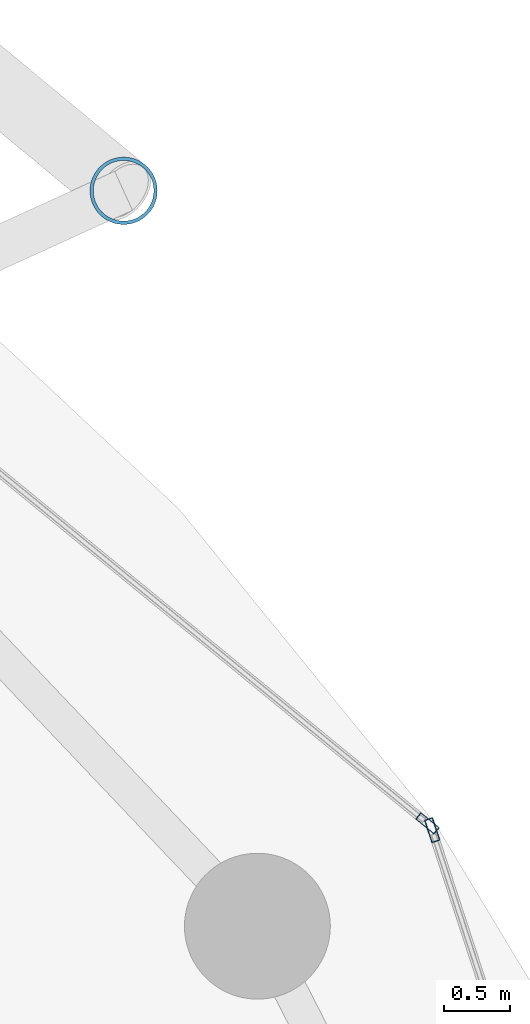
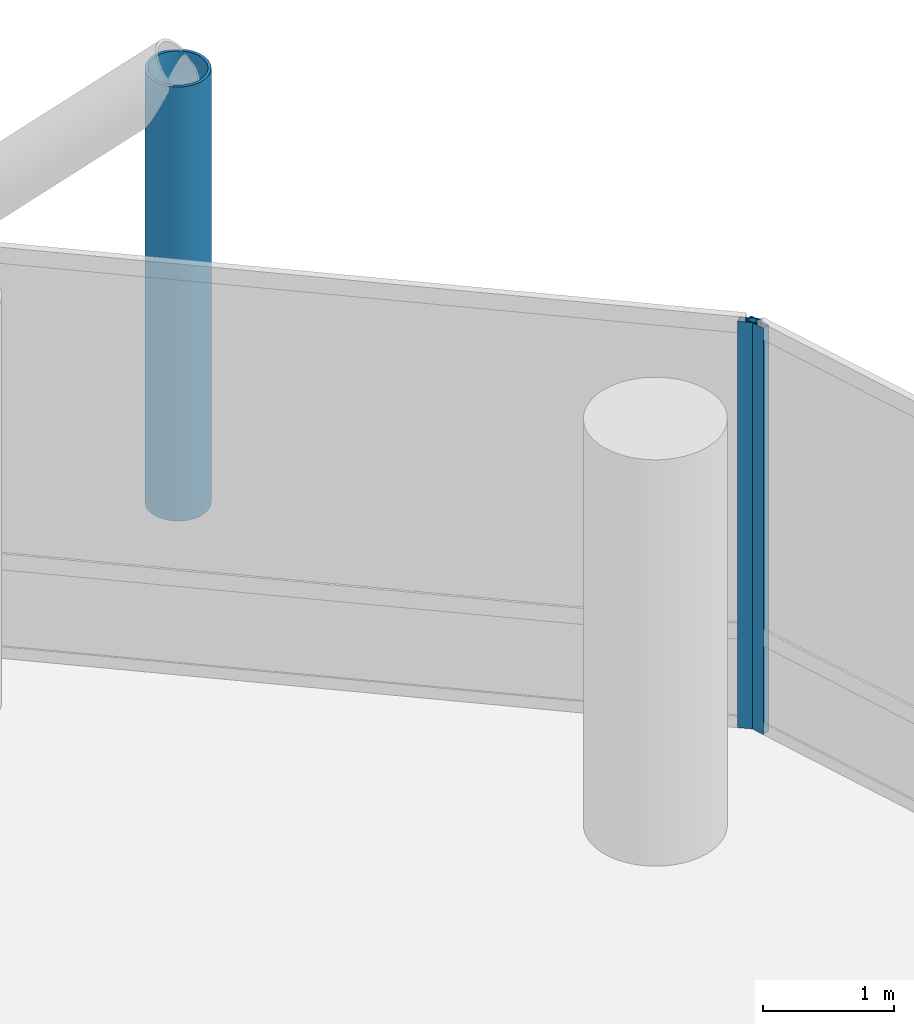
# One storey, part 19 of 24: 3 members, 2 elements without a shape of their own.
"""IFC4 building model written with IfcOpenShell, lengths in metres."""

from ifc_helpers import new_model, si_unit, direction, frame, origin, origin_2d, place, context, subcontext, project, spatial, hollow_rectangle, hollow_circle, extrude, material, layer, layer_set, material_profile, profile_set, type_object, element, aggregate, save


model = new_model("IFC4")

# Units and contexts
model_context = context("Model", 3, precision=1e-05, world=origin(), true_north=direction((0.0, 1.0)))
body_context = subcontext(model_context, "Body", "Model", "MODEL_VIEW")
ifc_project = project(units=[si_unit("LENGTHUNIT", "METRE"), si_unit("AREAUNIT", "SQUARE_METRE"), si_unit("VOLUMEUNIT", "CUBIC_METRE"), si_unit("PLANEANGLEUNIT", "RADIAN"), si_unit("MASSUNIT", "GRAM", prefix="KILO")], contexts=[model_context])

# Site, building, storey
site_placement = place(None, origin())
site = spatial("IfcSite", under=ifc_project, at=site_placement, CompositionType="ELEMENT")
building_placement = place(site_placement, origin())
building = spatial("IfcBuilding", under=site, at=building_placement, Name="Nuhasar Tower", CompositionType="ELEMENT")
storey_placement = place(building_placement, frame((0.0, 0.0, 25.050048828125)))
storey = spatial("IfcBuildingStorey", under=building, at=storey_placement, Name="L05", CompositionType="ELEMENT", Elevation=25.050048828125)

# Curtain wall, member
ifc_material_1 = material(Name="Aluminium 6063-T6", Category="aluminium")
ifc_layer = layer(ifc_material_1, 0.199951171875)
ifc_layer_set = layer_set([ifc_layer], Name="Aluminium 6063-T6")
curtain_wall_type = type_object("IfcCurtainWallType", Name="CW-Z1-OFF", PredefinedType="NOTDEFINED", material=ifc_layer_set)
curtain_wall_1_placement = place(storey_placement, origin())
curtain_wall_1 = element("IfcCurtainWall", 1, at=curtain_wall_1_placement, inside=storey, type_object=curtain_wall_type, Name="L05 Unitised Curtain Wall 01", PredefinedType="NOTDEFINED")
ifc_material_profile_1 = material_profile(ifc_material_1, hollow_rectangle(XDim=0.06494140625, YDim=0.179931640625, WallThickness=0.0048828125, at=origin_2d()), Name="CWM-2")
ifc_profile_set_1 = profile_set([ifc_material_profile_1], Name="Aluminium 6063-T6")
member_type_1 = type_object("IfcMemberType", Name="CW-MUL-S2", PredefinedType="MULLION", material=ifc_profile_set_1)
member_1_placement = place(storey_placement, frame((62.01220703125, 37.649169921875, 0.0), z_axis=(0.0, 0.0, 1.0), x_axis=(-0.950467534571, -0.310823849997, 0.0)))
member_1 = element("IfcMember", 2, at=member_1_placement, type_object=member_type_1, Name="CW-Z1 mullion 2", PredefinedType="MULLION", context=body_context, shape_type="SweptSolid", body=[
    extrude(hollow_rectangle(XDim=0.06494140625, YDim=0.179931640625, WallThickness=0.0048828125, at=origin_2d()), origin(), (0.0, 0.0, 1.0), 3.7900390625),
])
aggregate(curtain_wall_1, [member_1])

curtain_wall_2_placement = place(storey_placement, origin())
curtain_wall_2 = element("IfcCurtainWall", 3, at=curtain_wall_2_placement, inside=storey, type_object=curtain_wall_type, Name="L05 Unitised Curtain Wall 02", PredefinedType="NOTDEFINED")
member_2_placement = place(storey_placement, frame((61.976806640625, 37.70068359375, 0.0), z_axis=(0.0, 0.0, 1.0), x_axis=(-0.633744593376, -0.773542364946, 0.0)))
member_2 = element("IfcMember", 4, at=member_2_placement, type_object=member_type_1, Name="CW-Z1 mullion 1", PredefinedType="MULLION", context=body_context, shape_type="SweptSolid", body=[
    extrude(hollow_rectangle(XDim=0.06494140625, YDim=0.179931640625, WallThickness=0.0048828125, at=origin_2d()), origin(), (0.0, 0.0, 1.0), 3.7900390625),
])
aggregate(curtain_wall_2, [member_2])

# Member
ifc_material_2 = material(Name="Steel S460", Category="steel")
ifc_material_profile_2 = material_profile(ifc_material_2, hollow_circle(Radius=0.25390625, WallThickness=0.025390625, at=origin_2d()), Name="HSS508X25.4")
ifc_profile_set_2 = profile_set([ifc_material_profile_2], Name="Steel S460")
member_type_2 = type_object("IfcMemberType", Name="EXO-BRONZE-508", PredefinedType="BRACE", material=ifc_profile_set_2)
member_3_placement = place(storey_placement, frame((59.68505859375, 42.470947265625, 0.0), z_axis=(0.0, 0.0, 1.0), x_axis=(1.0, 0.0, 0.0)))
element("IfcMember", 5, at=member_3_placement, inside=storey, type_object=member_type_2, Name="L05 Exoskeleton Chord Column EC-02A", PredefinedType="BRACE", context=body_context, shape_type="SweptSolid", body=[
    extrude(hollow_circle(Radius=0.25390625, WallThickness=0.025390625, at=origin_2d()), origin(), (0.0, 0.0, 1.0), 4.050048828125),
])

save(model, "model.ifc")
